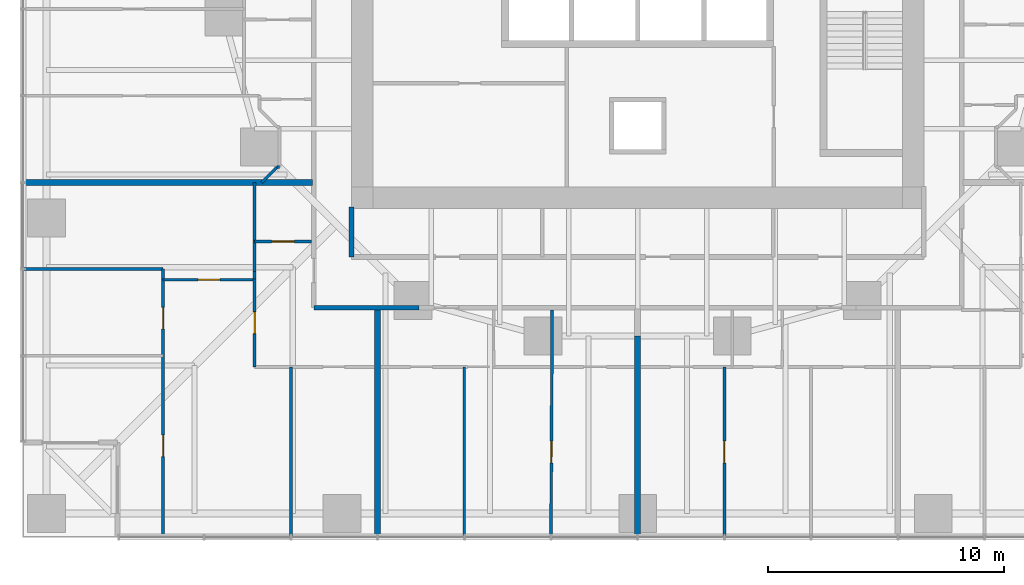
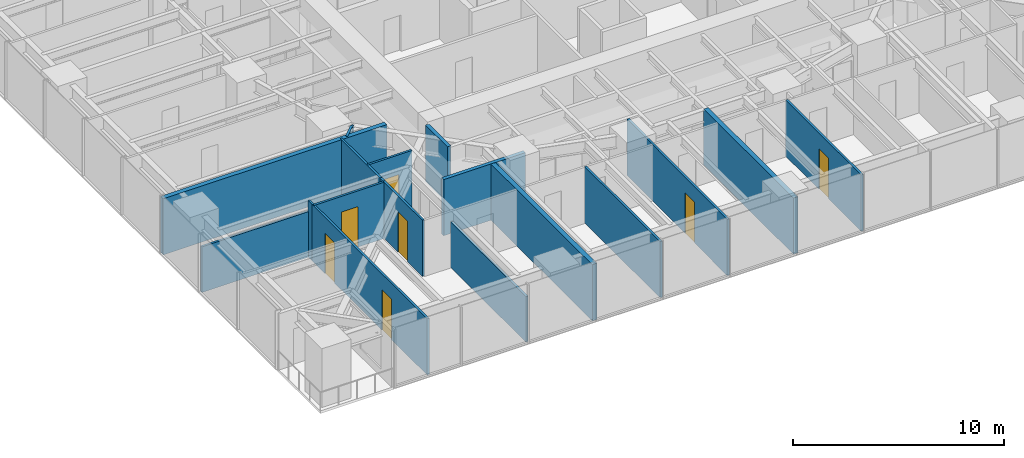
# One storey, part 8 of 18: 19 walls, 7 doors, 7 openings.
"""IFC4 building model written with IfcOpenShell, lengths in metres."""

from ifc_helpers import new_model, si_unit, direction, frame, frame_2d, origin, place, context, subcontext, project, spatial, rectangle, extrude, material, layer, layer_set, type_object, element, fill, save


model = new_model("IFC4")

# Units and contexts
model_context = context("Model", 3, precision=1e-05, world=origin(), true_north=direction((0.0, 1.0)))
body_context = subcontext(model_context, "Body", "Model", "MODEL_VIEW")
ifc_project = project(units=[si_unit("LENGTHUNIT", "METRE"), si_unit("AREAUNIT", "SQUARE_METRE"), si_unit("VOLUMEUNIT", "CUBIC_METRE"), si_unit("PLANEANGLEUNIT", "RADIAN"), si_unit("MASSUNIT", "GRAM", prefix="KILO")], contexts=[model_context])

# Site, building, storey
site_placement = place(None, origin())
site = spatial("IfcSite", under=ifc_project, at=site_placement, CompositionType="ELEMENT")
building_placement = place(site_placement, origin())
building = spatial("IfcBuilding", under=site, at=building_placement, Name="Torsade Residences", CompositionType="ELEMENT")
storey_placement = place(building_placement, frame((0.0, 0.0, 28.60009765625)))
storey = spatial("IfcBuildingStorey", under=building, at=storey_placement, Name="L07", CompositionType="ELEMENT", Elevation=28.60009765625)

# Walls
ifc_material_1 = material(Name="Plasterboard on steel stud", Category="steel")
ifc_layer_1 = layer(ifc_material_1, 0.199951171875)
ifc_layer_set_1 = layer_set([ifc_layer_1], Name="Plasterboard on steel stud")
wall_type_1 = type_object("IfcWallType", Name="CORRIDOR WALL 200", PredefinedType="PARTITIONING", material=ifc_layer_set_1)
wall_1_placement = place(storey_placement, frame((26.300048828125, 13.699951171875, 0.0), z_axis=(0.0, 0.0, 1.0), x_axis=(1.0, 0.0, 0.0)))
element("IfcWall", 1, at=wall_1_placement, inside=storey, type_object=wall_type_1, Name="Corridor wall L07", PredefinedType="PARTITIONING", context=body_context, shape_type="SweptSolid", body=[
    extrude(rectangle(XDim=4.458251953125, YDim=0.199951171875, at=frame_2d((2.22900390625, 0.0))), origin(), (0.0, 0.0, 1.0), 3.25),
])
wall_2_placement = place(storey_placement, frame((27.89990234375, 17.949951171875, 0.0), z_axis=(0.0, 0.0, 1.0), x_axis=(0.0, -1.0, 0.0)))
element("IfcWall", 2, at=wall_2_placement, inside=storey, type_object=wall_type_1, Name="Corridor wall L07", PredefinedType="PARTITIONING", context=body_context, shape_type="SweptSolid", body=[
    extrude(rectangle(XDim=2.099853515625, YDim=0.199951171875, at=frame_2d((1.0498046875, 0.0))), origin(), (0.0, 0.0, 1.0), 3.25),
])
ifc_material_2 = material(Name="Plasterboard on steel stud", Category="steel")
ifc_layer_2 = layer(ifc_material_2, 0.1201171875)
ifc_layer_set_2 = layer_set([ifc_layer_2], Name="Plasterboard on steel stud")
wall_type_2 = type_object("IfcWallType", Name="PARTITION 120", PredefinedType="PARTITIONING", material=ifc_layer_set_2)
wall_3_placement = place(storey_placement, frame((24.10009765625, 19.0, 0.0), z_axis=(0.0, 0.0, 1.0), x_axis=(0.707106781187, 0.707106781187, 0.0)))
element("IfcWall", 3, at=wall_3_placement, inside=storey, type_object=wall_type_2, Name="Partition L07", PredefinedType="PARTITIONING", context=body_context, shape_type="SweptSolid", body=[
    extrude(rectangle(XDim=0.919189453125, YDim=0.1201171875, at=frame_2d((0.45947265625, 0.0))), origin(), (0.0, 0.0, 1.0), 3.25),
])

# Wall, opening, door
wall_4_placement = place(storey_placement, frame((23.800048828125, 16.49853515625, 0.0), z_axis=(0.0, 0.0, 1.0), x_axis=(1.0, 0.0, 0.0)))
wall_4 = element("IfcWall", 4, at=wall_4_placement, inside=storey, type_object=wall_type_2, Name="Partition L07", PredefinedType="PARTITIONING", context=body_context, shape_type="SweptSolid", body=[
    extrude(rectangle(XDim=2.39990234375, YDim=0.1201171875, at=frame_2d((1.199951171875, 0.0))), origin(), (0.0, 0.0, 1.0), 3.25),
])
opening_1_placement = place(wall_4_placement, frame((0.719970703125, 0.0, 0.0)))
opening_1 = element("IfcOpeningElement", 5, at=opening_1_placement, cuts=wall_4, Name="Opening D05", PredefinedType="OPENING", context=body_context, shape_type="SweptSolid", body=[
    extrude(rectangle(XDim=0.9599609375, YDim=2.10009765625, at=frame_2d((0.47998046875, 1.050048828125))), frame((0.0, 0.070068359375, 0.0), z_axis=(0.0, -1.0, 0.0), x_axis=(1.0, 0.0, 0.0)), (0.0, 0.0, 1.0), 0.14013671875),
])
ifc_material_3 = material(Name="Hollow-core timber door in a steel cavity frame", Category="steel")
door_type_1 = type_object("IfcDoorType", Name="BATHROOM CAVITY SLIDING DOOR 960", OperationType="SLIDING_TO_LEFT", PredefinedType="DOOR", material=ifc_material_3)
door_1_placement = place(opening_1_placement, origin())
door_1 = element("IfcDoor", 6, at=door_1_placement, inside=storey, type_object=door_type_1, Name="Door Kitchen and dining to Bathroom", OperationType="SLIDING_TO_LEFT", OverallHeight=2.10009765625, OverallWidth=0.9599609375, PredefinedType="DOOR", context=body_context, shape_type="SweptSolid", body=[
    extrude(rectangle(XDim=0.9599609375, YDim=2.10009765625, at=frame_2d((0.47998046875, 1.050048828125))), frame((0.0, 0.02490234375, 0.0), z_axis=(0.0, -1.0, 0.0), x_axis=(1.0, 0.0, 0.0)), (0.0, 0.0, 1.0), 0.050048828125),
])
fill(opening_1, door_1)

wall_5_placement = place(storey_placement, frame((23.800048828125, 11.199951171875, 0.0), z_axis=(0.0, 0.0, 1.0), x_axis=(0.0, 1.0, 0.0)))
wall_5 = element("IfcWall", 7, at=wall_5_placement, inside=storey, type_object=wall_type_2, Name="Partition L07", PredefinedType="PARTITIONING", context=body_context, shape_type="SweptSolid", body=[
    extrude(rectangle(XDim=3.723388671875, YDim=0.1201171875, at=frame_2d((1.86181640625, 0.0))), origin(), (0.0, 0.0, 1.0), 3.25),
])
opening_2_placement = place(wall_5_placement, frame((1.40673828125, 0.0, 0.0)))
opening_2 = element("IfcOpeningElement", 8, at=opening_2_placement, cuts=wall_5, Name="Opening D02", PredefinedType="OPENING", context=body_context, shape_type="SweptSolid", body=[
    extrude(rectangle(XDim=0.919921875, YDim=2.340087890625, at=frame_2d((0.4599609375, 1.169921875))), frame((0.0, 0.070068359375, 0.0), z_axis=(0.0, -1.0, 0.0), x_axis=(1.0, 0.0, 0.0)), (0.0, 0.0, 1.0), 0.14013671875),
])
ifc_material_4 = material(Name="Hollow-core timber door", Category="wood")
door_type_2 = type_object("IfcDoorType", Name="INTERNAL DOOR 920x2340", OperationType="NOTDEFINED", PredefinedType="DOOR", material=ifc_material_4)
door_2_placement = place(opening_2_placement, origin())
door_2 = element("IfcDoor", 9, at=door_2_placement, inside=storey, type_object=door_type_2, Name="Door Kitchen and dining to Living room", OperationType="SINGLE_SWING_RIGHT", OverallHeight=2.340087890625, OverallWidth=0.919921875, PredefinedType="DOOR", context=body_context, shape_type="SweptSolid", body=[
    extrude(rectangle(XDim=0.919921875, YDim=2.340087890625, at=frame_2d((0.4599609375, 1.169921875))), frame((0.0, 0.02490234375, 0.0), z_axis=(0.0, -1.0, 0.0), x_axis=(1.0, 0.0, 0.0)), (0.0, 0.0, 1.0), 0.050048828125),
])
fill(opening_2, door_2)

# Wall
wall_6_placement = place(storey_placement, frame((23.800048828125, 15.2333984375, 0.0), z_axis=(0.0, 0.0, 1.0), x_axis=(0.0, 1.0, 0.0)))
element("IfcWall", 10, at=wall_6_placement, inside=storey, type_object=wall_type_2, Name="Partition L07", PredefinedType="PARTITIONING", context=body_context, shape_type="SweptSolid", body=[
    extrude(rectangle(XDim=3.7666015625, YDim=0.1201171875, at=frame_2d((1.88330078125, 0.0))), origin(), (0.0, 0.0, 1.0), 3.25),
])

# Wall, opening, door
wall_7_placement = place(storey_placement, frame((19.927001953125, 14.88330078125, 0.0), z_axis=(0.0, 0.0, 1.0), x_axis=(1.0, 0.0, 0.0)))
wall_7 = element("IfcWall", 11, at=wall_7_placement, inside=storey, type_object=wall_type_2, Name="Partition L07", PredefinedType="PARTITIONING", context=body_context, shape_type="SweptSolid", body=[
    extrude(rectangle(XDim=3.873046875, YDim=0.1201171875, at=frame_2d((1.9365234375, 0.0))), origin(), (0.0, 0.0, 1.0), 3.25),
])
opening_3_placement = place(wall_7_placement, frame((1.4765625, 0.0, 0.0)))
opening_3 = element("IfcOpeningElement", 12, at=opening_3_placement, cuts=wall_7, Name="Opening D02", PredefinedType="OPENING", context=body_context, shape_type="SweptSolid", body=[
    extrude(rectangle(XDim=0.919921875, YDim=2.340087890625, at=frame_2d((0.4599609375, 1.169921875))), frame((0.0, 0.070068359375, 0.0), z_axis=(0.0, -1.0, 0.0), x_axis=(1.0, 0.0, 0.0)), (0.0, 0.0, 1.0), 0.14013671875),
])
door_3_placement = place(opening_3_placement, origin())
door_3 = element("IfcDoor", 13, at=door_3_placement, inside=storey, type_object=door_type_2, Name="Door Living room to Bedroom 1", OperationType="SINGLE_SWING_RIGHT", OverallHeight=2.340087890625, OverallWidth=0.919921875, PredefinedType="DOOR", context=body_context, shape_type="SweptSolid", body=[
    extrude(rectangle(XDim=0.919921875, YDim=2.340087890625, at=frame_2d((0.4599609375, 1.169921875))), frame((0.0, 0.02490234375, 0.0), z_axis=(0.0, -1.0, 0.0), x_axis=(1.0, 0.0, 0.0)), (0.0, 0.0, 1.0), 0.050048828125),
])
fill(opening_3, door_3)

# Wall, openings, doors
wall_8_placement = place(storey_placement, frame((19.927001953125, 4.0400390625, 0.0), z_axis=(0.0, 0.0, 1.0), x_axis=(0.0, 1.0, 0.0)))
wall_8 = element("IfcWall", 14, at=wall_8_placement, inside=storey, type_object=wall_type_2, Name="Partition L07", PredefinedType="PARTITIONING", context=body_context, shape_type="SweptSolid", body=[
    extrude(rectangle(XDim=10.88330078125, YDim=0.1201171875, at=frame_2d((5.441650390625, 0.0))), origin(), (0.0, 0.0, 1.0), 3.25),
])
opening_4_placement = place(wall_8_placement, frame((3.3583984375, 0.0, 0.0)))
opening_4 = element("IfcOpeningElement", 15, at=opening_4_placement, cuts=wall_8, Name="Opening D02", PredefinedType="OPENING", context=body_context, shape_type="SweptSolid", body=[
    extrude(rectangle(XDim=0.919921875, YDim=2.340087890625, at=frame_2d((0.4599609375, 1.169921875))), frame((0.0, 0.070068359375, 0.0), z_axis=(0.0, -1.0, 0.0), x_axis=(1.0, 0.0, 0.0)), (0.0, 0.0, 1.0), 0.14013671875),
])
opening_5_placement = place(wall_8_placement, frame((8.75, 0.0, 0.0)))
opening_5 = element("IfcOpeningElement", 16, at=opening_5_placement, cuts=wall_8, Name="Opening D02", PredefinedType="OPENING", context=body_context, shape_type="SweptSolid", body=[
    extrude(rectangle(XDim=0.919921875, YDim=2.340087890625, at=frame_2d((0.4599609375, 1.169921875))), frame((0.0, 0.070068359375, 0.0), z_axis=(0.0, -1.0, 0.0), x_axis=(1.0, 0.0, 0.0)), (0.0, 0.0, 1.0), 0.14013671875),
])
door_4_placement = place(opening_4_placement, origin())
door_4 = element("IfcDoor", 17, at=door_4_placement, inside=storey, type_object=door_type_2, Name="Door Living room to Bedroom 2", OperationType="SINGLE_SWING_LEFT", OverallHeight=2.340087890625, OverallWidth=0.919921875, PredefinedType="DOOR", context=body_context, shape_type="SweptSolid", body=[
    extrude(rectangle(XDim=0.919921875, YDim=2.340087890625, at=frame_2d((0.4599609375, 1.169921875))), frame((0.0, 0.02490234375, 0.0), z_axis=(0.0, -1.0, 0.0), x_axis=(1.0, 0.0, 0.0)), (0.0, 0.0, 1.0), 0.050048828125),
])
fill(opening_4, door_4)
door_5_placement = place(opening_5_placement, origin())
door_5 = element("IfcDoor", 18, at=door_5_placement, inside=storey, type_object=door_type_2, Name="Door Living room to Family room", OperationType="SINGLE_SWING_LEFT", OverallHeight=2.340087890625, OverallWidth=0.919921875, PredefinedType="DOOR", context=body_context, shape_type="SweptSolid", body=[
    extrude(rectangle(XDim=0.919921875, YDim=2.340087890625, at=frame_2d((0.4599609375, 1.169921875))), frame((0.0, 0.02490234375, 0.0), z_axis=(0.0, -1.0, 0.0), x_axis=(1.0, 0.0, 0.0)), (0.0, 0.0, 1.0), 0.050048828125),
])
fill(opening_5, door_5)

# Walls
wall_9_placement = place(storey_placement, frame((25.333251953125, 11.199951171875, 0.0), z_axis=(0.0, 0.0, 1.0), x_axis=(0.0, -1.0, 0.0)))
element("IfcWall", 19, at=wall_9_placement, inside=storey, type_object=wall_type_2, Name="Partition L07", PredefinedType="PARTITIONING", context=body_context, shape_type="SweptSolid", body=[
    extrude(rectangle(XDim=7.159912109375, YDim=0.1201171875, at=frame_2d((3.580078125, 0.0))), origin(), (0.0, 0.0, 1.0), 2.637939453125),
])
wall_10_placement = place(storey_placement, frame((19.927001953125, 15.333251953125, 0.0), z_axis=(0.0, 0.0, 1.0), x_axis=(-1.0, 0.0, 0.0)))
element("IfcWall", 20, at=wall_10_placement, inside=storey, type_object=wall_type_2, Name="Partition L07", PredefinedType="PARTITIONING", context=body_context, shape_type="SweptSolid", body=[
    extrude(rectangle(XDim=5.886962890625, YDim=0.1201171875, at=frame_2d((2.943359375, 0.0))), origin(), (0.0, 0.0, 1.0), 2.637939453125),
])

# Wall, opening, door
wall_11_placement = place(storey_placement, frame((36.333251953125, 4.0400390625, 0.0), z_axis=(0.0, 0.0, 1.0), x_axis=(0.005107446534, 0.99998695691, 0.0)))
wall_11 = element("IfcWall", 21, at=wall_11_placement, inside=storey, type_object=wall_type_2, Name="Partition L07", PredefinedType="PARTITIONING", context=body_context, shape_type="SweptSolid", body=[
    extrude(rectangle(XDim=9.560302734375, YDim=0.1201171875, at=frame_2d((4.7802734375, 0.0))), origin(), (0.0, 0.0, 1.0), 3.25),
])
opening_6_placement = place(wall_11_placement, frame((3.099853515625, 0.0, 0.0)))
opening_6 = element("IfcOpeningElement", 22, at=opening_6_placement, cuts=wall_11, Name="Opening D02", PredefinedType="OPENING", context=body_context, shape_type="SweptSolid", body=[
    extrude(rectangle(XDim=0.919921875, YDim=2.340087890625, at=frame_2d((0.4599609375, 1.169921875))), frame((0.0, 0.070068359375, 0.0), z_axis=(0.0, -1.0, 0.0), x_axis=(1.0, 0.0, 0.0)), (0.0, 0.0, 1.0), 0.14013671875),
])
door_6_placement = place(opening_6_placement, origin())
door_6 = element("IfcDoor", 23, at=door_6_placement, inside=storey, type_object=door_type_2, Name="Door Bedroom 2 to Bedroom 1", OperationType="SINGLE_SWING_LEFT", OverallHeight=2.340087890625, OverallWidth=0.919921875, PredefinedType="DOOR", context=body_context, shape_type="SweptSolid", body=[
    extrude(rectangle(XDim=0.919921875, YDim=2.340087890625, at=frame_2d((0.4599609375, 1.169921875))), frame((0.0, 0.02490234375, 0.0), z_axis=(0.0, -1.0, 0.0), x_axis=(1.0, 0.0, 0.0)), (0.0, 0.0, 1.0), 0.050048828125),
])
fill(opening_6, door_6)

# Wall
wall_12_placement = place(storey_placement, frame((32.666748046875, 11.199951171875, 0.0), z_axis=(0.0, 0.0, 1.0), x_axis=(0.0, -1.0, 0.0)))
element("IfcWall", 24, at=wall_12_placement, inside=storey, type_object=wall_type_2, Name="Partition L07", PredefinedType="PARTITIONING", context=body_context, shape_type="SweptSolid", body=[
    extrude(rectangle(XDim=7.159912109375, YDim=0.1201171875, at=frame_2d((3.580078125, 0.0))), origin(), (0.0, 0.0, 1.0), 3.25),
])

# Wall, opening, door
wall_13_placement = place(storey_placement, frame((43.666748046875, 11.199951171875, 0.0), z_axis=(0.0, 0.0, 1.0), x_axis=(0.0, -1.0, 0.0)))
wall_13 = element("IfcWall", 25, at=wall_13_placement, inside=storey, type_object=wall_type_2, Name="Partition L07", PredefinedType="PARTITIONING", context=body_context, shape_type="SweptSolid", body=[
    extrude(rectangle(XDim=7.159912109375, YDim=0.1201171875, at=frame_2d((3.580078125, 0.0))), origin(), (0.0, 0.0, 1.0), 3.25),
])
opening_7_placement = place(wall_13_placement, frame((3.139892578125, 0.0, 0.0)))
opening_7 = element("IfcOpeningElement", 26, at=opening_7_placement, cuts=wall_13, Name="Opening D02", PredefinedType="OPENING", context=body_context, shape_type="SweptSolid", body=[
    extrude(rectangle(XDim=0.919921875, YDim=2.340087890625, at=frame_2d((0.4599609375, 1.169921875))), frame((0.0, 0.070068359375, 0.0), z_axis=(0.0, -1.0, 0.0), x_axis=(1.0, 0.0, 0.0)), (0.0, 0.0, 1.0), 0.14013671875),
])
door_7_placement = place(opening_7_placement, origin())
door_7 = element("IfcDoor", 27, at=door_7_placement, inside=storey, type_object=door_type_2, Name="Door Bedroom 2 to Living room", OperationType="SINGLE_SWING_RIGHT", OverallHeight=2.340087890625, OverallWidth=0.919921875, PredefinedType="DOOR", context=body_context, shape_type="SweptSolid", body=[
    extrude(rectangle(XDim=0.919921875, YDim=2.340087890625, at=frame_2d((0.4599609375, 1.169921875))), frame((0.0, 0.02490234375, 0.0), z_axis=(0.0, -1.0, 0.0), x_axis=(1.0, 0.0, 0.0)), (0.0, 0.0, 1.0), 0.050048828125),
])
fill(opening_7, door_7)

# Walls
wall_14_placement = place(storey_placement, frame((24.85009765625, 19.64990234375, 0.0), z_axis=(0.0, 0.0, 1.0), x_axis=(-1.0, 0.0, 0.0)))
element("IfcWall", 28, at=wall_14_placement, inside=storey, type_object=wall_type_2, Name="Partition L07", PredefinedType="PARTITIONING", context=body_context, shape_type="SweptSolid", body=[
    extrude(rectangle(XDim=0.10009765625, YDim=0.1201171875, at=frame_2d((0.050048828125, 0.0))), origin(), (0.0, 0.0, 1.0), 3.25),
])
wall_15_placement = place(storey_placement, frame((23.800048828125, 15.2333984375, 0.0), z_axis=(0.0, 0.0, 1.0), x_axis=(0.0, -1.0, 0.0)))
element("IfcWall", 29, at=wall_15_placement, inside=storey, type_object=wall_type_2, Name="Partition L07", PredefinedType="PARTITIONING", context=body_context, shape_type="SweptSolid", body=[
    extrude(rectangle(XDim=0.31005859375, YDim=0.1201171875, at=frame_2d((0.155029296875, 0.0))), origin(), (0.0, 0.0, 1.0), 3.25),
])
wall_16_placement = place(storey_placement, frame((19.927001953125, 15.333251953125, 0.0), z_axis=(0.0, 0.0, 1.0), x_axis=(0.0, -1.0, 0.0)))
element("IfcWall", 30, at=wall_16_placement, inside=storey, type_object=wall_type_2, Name="Partition L07", PredefinedType="PARTITIONING", context=body_context, shape_type="SweptSolid", body=[
    extrude(rectangle(XDim=0.409912109375, YDim=0.1201171875, at=frame_2d((0.205078125, 0.0))), origin(), (0.0, 0.0, 1.0), 3.25),
])
ifc_material_5 = material(Name="Masonry-lined stud party wall", Category="masonry")
ifc_layer_3 = layer(ifc_material_5, 0.25)
ifc_layer_set_3 = layer_set([ifc_layer_3], Name="Masonry-lined stud party wall")
wall_type_3 = type_object("IfcWallType", Name="PARTY WALL 250", PredefinedType="PARTITIONING", material=ifc_layer_set_3)
wall_17_placement = place(storey_placement, frame((29.0, 4.0, 0.0), z_axis=(0.0, 0.0, 1.0), x_axis=(0.0, 1.0, 0.0)))
element("IfcWall", 31, at=wall_17_placement, inside=storey, type_object=wall_type_3, Name="Party wall L07", PredefinedType="PARTITIONING", context=body_context, shape_type="SweptSolid", body=[
    extrude(rectangle(XDim=9.639892578125, YDim=0.25, at=frame_2d((4.81982421875, 0.0))), origin(), (0.0, 0.0, 1.0), 3.25),
])
wall_18_placement = place(storey_placement, frame((40.0, 4.0, 0.0), z_axis=(0.0, 0.0, 1.0), x_axis=(0.0, 1.0, 0.0)))
element("IfcWall", 32, at=wall_18_placement, inside=storey, type_object=wall_type_3, Name="Party wall L07", PredefinedType="PARTITIONING", context=body_context, shape_type="SweptSolid", body=[
    extrude(rectangle(XDim=8.5, YDim=0.25, at=frame_2d((4.25, 0.0))), origin(), (0.0, 0.0, 1.0), 3.25),
])
wall_19_placement = place(storey_placement, frame((14.0, 19.0, 0.0), z_axis=(0.0, 0.0, 1.0), x_axis=(1.0, 0.0, 0.0)))
element("IfcWall", 33, at=wall_19_placement, inside=storey, type_object=wall_type_3, Name="Party wall L07", PredefinedType="PARTITIONING", context=body_context, shape_type="SweptSolid", body=[
    extrude(rectangle(XDim=12.239990234375, YDim=0.25, at=frame_2d((6.1201171875, 0.0))), origin(), (0.0, 0.0, 1.0), 3.25),
])

save(model, "model.ifc")
